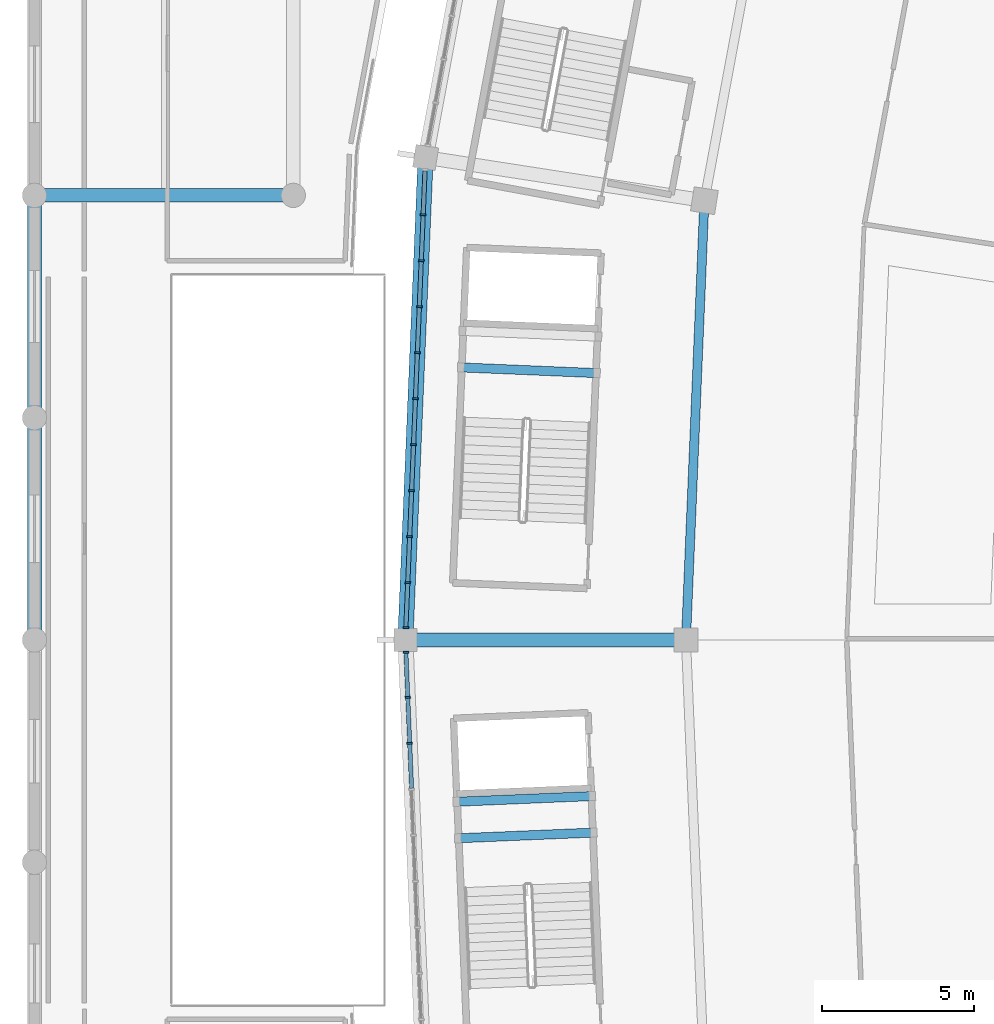
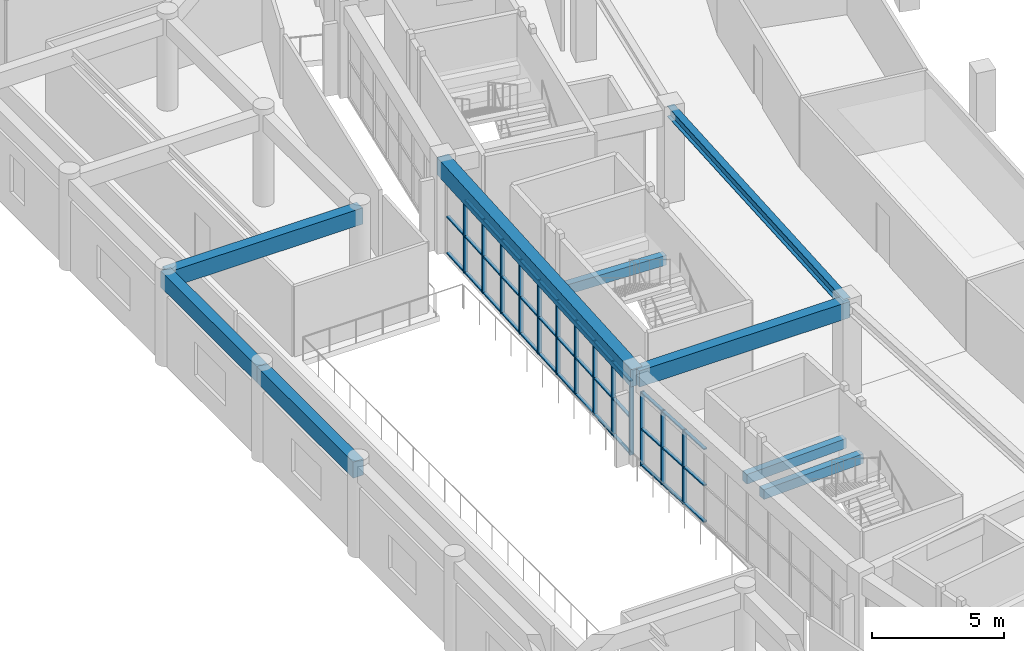
# One storey, part 28 of 141: 51 members, 9 beams, 2 elements without a shape of their own.
"""IFC4 building model written with IfcOpenShell, lengths in metres."""

from ifc_helpers import new_model, si_unit, direction, frame, origin, origin_2d, place, context, subcontext, project, spatial, rectangle, i_section, extrude, material, layer, layer_set, material_profile, profile_set, type_object, element, aggregate, save


model = new_model("IFC4")

# Units and contexts
model_context = context("Model", 3, precision=1e-05, world=origin(), true_north=direction((0.0, 1.0)))
body_context = subcontext(model_context, "Body", "Model", "MODEL_VIEW")
ifc_project = project(units=[si_unit("LENGTHUNIT", "METRE"), si_unit("AREAUNIT", "SQUARE_METRE"), si_unit("VOLUMEUNIT", "CUBIC_METRE"), si_unit("PLANEANGLEUNIT", "RADIAN"), si_unit("MASSUNIT", "GRAM", prefix="KILO")], contexts=[model_context])

# Site, building, storey
site_placement = place(None, origin())
site = spatial("IfcSite", under=ifc_project, at=site_placement, CompositionType="ELEMENT")
building_placement = place(site_placement, origin())
building = spatial("IfcBuilding", under=site, at=building_placement, Name="Mphavela Belvedere Stadium", CompositionType="ELEMENT")
storey_placement = place(building_placement, frame((0.0, 0.0, 14.699951171875)))
storey = spatial("IfcBuildingStorey", under=building, at=storey_placement, Name="L03", CompositionType="ELEMENT", Elevation=14.699951171875)

# Beams
ifc_material_1 = material(Name="Concrete C40/50", Category="concrete")
ifc_material_profile_1 = material_profile(ifc_material_1, rectangle(XDim=0.300048828125, YDim=0.449951171875, at=origin_2d()), Name="RC 300x450")
ifc_profile_set_1 = profile_set([ifc_material_profile_1], Name="Concrete C40/50")
beam_type_1 = type_object("IfcBeamType", Name="BM-RC300x450", PredefinedType="BEAM", material=ifc_profile_set_1)
for number, where, z_axis, x_axis, name in (
    (1, (18.47021484375, 95.76318359375, 1.824951171875), (-0.999122153252, 0.04189179968, 0.0), (-0.04189179968, -0.999122153252, 0.0), "Core C07 landing trimmer beam L03-1"),
    (2, (18.367919921875, 80.674560546875, 1.824951171875), (-0.999122153252, -0.04189179968, 0.0), (0.04189179968, -0.999122153252, 0.0), "Core C08 landing trimmer beam L03-1"),
    (3, (18.317626953125, 81.87353515625, 1.824951171875), (-0.999122153252, -0.04189179968, 0.0), (0.04189179968, -0.999122153252, 0.0), "Core C08 landing trimmer beam L03-2"),
):
    element("IfcBeam", number, at=place(storey_placement, frame(where, z_axis=z_axis, x_axis=x_axis)), inside=storey, type_object=beam_type_1, Name=name, PredefinedType="BEAM", context=body_context, shape_type="SweptSolid", body=[
        extrude(rectangle(XDim=0.300048828125, YDim=0.449951171875, at=origin_2d()), origin(), (0.0, 0.0, 1.0), 4.469970703125),
    ])
ifc_material_2 = material(Name="Concrete C40/50", Category="concrete")
ifc_material_profile_2 = material_profile(ifc_material_2, rectangle(XDim=0.449951171875, YDim=0.75, at=origin_2d()), Name="RC 450x750")
ifc_profile_set_2 = profile_set([ifc_material_profile_2], Name="Concrete C40/50")
beam_type_2 = type_object("IfcBeamType", Name="BM-RC450x750", PredefinedType="BEAM", material=ifc_profile_set_2)
beam_1_placement = place(storey_placement, frame((21.39501953125, 87.0, 3.875), z_axis=(-1.0, 0.0, 0.0), x_axis=(0.0, -1.0, 0.0)))
element("IfcBeam", 4, at=beam_1_placement, inside=storey, type_object=beam_type_2, Name="Radial concourse girder L03 R3R4-25", PredefinedType="BEAM", context=body_context, shape_type="SweptSolid", body=[
    extrude(rectangle(XDim=0.449951171875, YDim=0.75, at=origin_2d()), origin(), (0.0, 0.0, 1.0), 9.215087890625),
])
for number, where, z_axis, x_axis, name in (
    (5, (0.0, 87.0, 3.864990234375), (0.0, 1.0, 0.0), (-1.0, 0.0, 0.0), "West Planted Eaves Peristyle Colonnade entablature beam Y L03 1-6"),
    (6, (0.0, 94.300048828125, 3.864990234375), (0.0, 1.0, 0.0), (-1.0, 0.0, 0.0), "West Planted Eaves Peristyle Colonnade entablature beam Y L03 1-7"),
):
    element("IfcBeam", number, at=place(storey_placement, frame(where, z_axis=z_axis, x_axis=x_axis)), inside=storey, type_object=beam_type_2, Name=name, PredefinedType="BEAM", context=body_context, shape_type="SweptSolid", body=[
        extrude(rectangle(XDim=0.449951171875, YDim=0.75, at=origin_2d()), origin(), (0.0, 0.0, 1.0), 7.300048828125),
    ])
beam_2_placement = place(storey_placement, frame((0.0, 101.60009765625, 3.864990234375), z_axis=(1.0, 0.0, 0.0), x_axis=(0.0, 1.0, 0.0)))
element("IfcBeam", 7, at=beam_2_placement, inside=storey, type_object=beam_type_2, Name="West Planted Eaves Peristyle Colonnade entablature beam X L03 1-8", PredefinedType="BEAM", context=body_context, shape_type="SweptSolid", body=[
    extrude(rectangle(XDim=0.449951171875, YDim=0.75, at=origin_2d()), origin(), (0.0, 0.0, 1.0), 8.5),
])
ifc_material_3 = material(Name="Concrete C40/50", Category="concrete")
ifc_material_profile_3 = material_profile(ifc_material_3, rectangle(XDim=0.5, YDim=0.800048828125, at=origin_2d()), Name="RC 500x800")
ifc_profile_set_3 = profile_set([ifc_material_profile_3], Name="Concrete C40/50")
beam_type_3 = type_object("IfcBeamType", Name="BM-SPANDREL-800", PredefinedType="SPANDREL", material=ifc_profile_set_3)
beam_3_placement = place(storey_placement, frame((12.844482421875, 102.844970703125, 3.85009765625), z_axis=(-0.041903963155, -0.999121643181, 0.0), x_axis=(0.999121643181, -0.041903963155, 0.0)))
element("IfcBeam", 8, at=beam_3_placement, inside=storey, type_object=beam_type_3, Name="Circumferential girder L03 R4-24", PredefinedType="SPANDREL", context=body_context, shape_type="SweptSolid", body=[
    extrude(rectangle(XDim=0.5, YDim=0.800048828125, at=origin_2d()), origin(), (0.0, 0.0, 1.0), 15.85888671875),
])
ifc_material_4 = material(Name="Steel S355", Category="steel")
ifc_material_profile_4 = material_profile(ifc_material_4, i_section(OverallWidth=0.300048828125, OverallDepth=0.489990234375, WebThickness=0.011962890625, FlangeThickness=0.02294921875, at=origin_2d()), Name="HEA 500")
ifc_profile_set_4 = profile_set([ifc_material_profile_4], Name="Steel S355")
beam_type_4 = type_object("IfcBeamType", Name="BM-STEEL-HEA500", PredefinedType="BEAM", material=ifc_profile_set_4)
beam_4_placement = place(storey_placement, frame((22.0, 101.4248046875, 4.005126953125), z_axis=(-0.041903450766, -0.99912166467, 0.0), x_axis=(0.99912166467, -0.041903450766, 0.0)))
element("IfcBeam", 9, at=beam_4_placement, inside=storey, type_object=beam_type_4, Name="Circumferential girder L03 R3-24", PredefinedType="BEAM", context=body_context, shape_type="SweptSolid", body=[
    extrude(i_section(OverallWidth=0.300048828125, OverallDepth=0.489990234375, WebThickness=0.011962890625, FlangeThickness=0.02294921875, at=origin_2d()), origin(), (0.0, 0.0, 1.0), 14.4375),
])

# Curtain wall, members
ifc_material_5 = material(Name="Anodised bronze unitised curtain wall framing")
ifc_layer_1 = layer(ifc_material_5, 0.18505859375)
ifc_layer_set_1 = layer_set([ifc_layer_1], Name="Anodised bronze unitised curtain wall framing")
curtain_wall_type_1 = type_object("IfcCurtainWallType", Name="CW-UNIT-02", PredefinedType="USERDEFINED", material=ifc_layer_set_1)
curtain_wall_1_placement = place(storey_placement, origin())
curtain_wall_1 = element("IfcCurtainWall", 10, at=curtain_wall_1_placement, inside=storey, type_object=curtain_wall_type_1, Name="Belvedere colonnade curtain wall L03-24", ObjectType="UNITISED CURTAIN WALL", PredefinedType="USERDEFINED")
ifc_material_6 = material(Name="Anodised bronze extruded aluminium", Category="aluminium")
ifc_material_profile_5 = material_profile(ifc_material_6, rectangle(XDim=0.179931640625, YDim=0.06494140625, at=origin_2d()), Name="CW-MUL 180x65")
ifc_profile_set_5 = profile_set([ifc_material_profile_5], Name="Anodised bronze extruded aluminium")
member_type_1 = type_object("IfcMemberType", Name="CWM-180x65", PredefinedType="MULLION", material=ifc_profile_set_5)
member_1_placement = place(storey_placement, frame((12.765625, 100.96240234375, 0.0), z_axis=(0.0, 0.0, 1.0), x_axis=(0.999121336582, -0.041911272788, 0.0)))
member_1 = element("IfcMember", 11, at=member_1_placement, type_object=member_type_1, Name="CW-02 mullion 2", PredefinedType="MULLION", context=body_context, shape_type="SweptSolid", body=[
    extrude(rectangle(XDim=0.179931640625, YDim=0.06494140625, at=origin_2d()), origin(), (0.0, 0.0, 1.0), 3.420166015625),
])
member_2_placement = place(storey_placement, frame((12.702392578125, 99.452392578125, 0.0), z_axis=(0.0, 0.0, 1.0), x_axis=(0.999121336582, -0.041911272788, 0.0)))
member_2 = element("IfcMember", 12, at=member_2_placement, type_object=member_type_1, Name="CW-02 mullion 3", PredefinedType="MULLION", context=body_context, shape_type="SweptSolid", body=[
    extrude(rectangle(XDim=0.179931640625, YDim=0.06494140625, at=origin_2d()), origin(), (0.0, 0.0, 1.0), 3.420166015625),
])
member_3_placement = place(storey_placement, frame((12.638916015625, 97.9423828125, 0.0), z_axis=(0.0, 0.0, 1.0), x_axis=(0.999121336582, -0.041911272788, 0.0)))
member_3 = element("IfcMember", 13, at=member_3_placement, type_object=member_type_1, Name="CW-02 mullion 4", PredefinedType="MULLION", context=body_context, shape_type="SweptSolid", body=[
    extrude(rectangle(XDim=0.179931640625, YDim=0.06494140625, at=origin_2d()), origin(), (0.0, 0.0, 1.0), 3.420166015625),
])
member_4_placement = place(storey_placement, frame((12.57568359375, 96.432373046875, 0.0), z_axis=(0.0, 0.0, 1.0), x_axis=(0.999121336582, -0.041911272788, 0.0)))
member_4 = element("IfcMember", 14, at=member_4_placement, type_object=member_type_1, Name="CW-02 mullion 5", PredefinedType="MULLION", context=body_context, shape_type="SweptSolid", body=[
    extrude(rectangle(XDim=0.179931640625, YDim=0.06494140625, at=origin_2d()), origin(), (0.0, 0.0, 1.0), 3.420166015625),
])
member_5_placement = place(storey_placement, frame((12.51220703125, 94.922607421875, 0.0), z_axis=(0.0, 0.0, 1.0), x_axis=(0.999121336582, -0.041911272788, 0.0)))
member_5 = element("IfcMember", 15, at=member_5_placement, type_object=member_type_1, Name="CW-02 mullion 6", PredefinedType="MULLION", context=body_context, shape_type="SweptSolid", body=[
    extrude(rectangle(XDim=0.179931640625, YDim=0.06494140625, at=origin_2d()), origin(), (0.0, 0.0, 1.0), 3.420166015625),
])
member_6_placement = place(storey_placement, frame((12.448974609375, 93.41259765625, 0.0), z_axis=(0.0, 0.0, 1.0), x_axis=(0.999121336582, -0.041911272788, 0.0)))
member_6 = element("IfcMember", 16, at=member_6_placement, type_object=member_type_1, Name="CW-02 mullion 7", PredefinedType="MULLION", context=body_context, shape_type="SweptSolid", body=[
    extrude(rectangle(XDim=0.179931640625, YDim=0.06494140625, at=origin_2d()), origin(), (0.0, 0.0, 1.0), 3.420166015625),
])
member_7_placement = place(storey_placement, frame((12.385498046875, 91.902587890625, 0.0), z_axis=(0.0, 0.0, 1.0), x_axis=(0.999121336582, -0.041911272788, 0.0)))
member_7 = element("IfcMember", 17, at=member_7_placement, type_object=member_type_1, Name="CW-02 mullion 8", PredefinedType="MULLION", context=body_context, shape_type="SweptSolid", body=[
    extrude(rectangle(XDim=0.179931640625, YDim=0.06494140625, at=origin_2d()), origin(), (0.0, 0.0, 1.0), 3.420166015625),
])
member_8_placement = place(storey_placement, frame((12.322265625, 90.392578125, 0.0), z_axis=(0.0, 0.0, 1.0), x_axis=(0.999121336582, -0.041911272788, 0.0)))
member_8 = element("IfcMember", 18, at=member_8_placement, type_object=member_type_1, Name="CW-02 mullion 9", PredefinedType="MULLION", context=body_context, shape_type="SweptSolid", body=[
    extrude(rectangle(XDim=0.179931640625, YDim=0.06494140625, at=origin_2d()), origin(), (0.0, 0.0, 1.0), 3.420166015625),
])
member_9_placement = place(storey_placement, frame((12.259033203125, 88.882568359375, 0.0), z_axis=(0.0, 0.0, 1.0), x_axis=(0.999121336582, -0.041911272788, 0.0)))
member_9 = element("IfcMember", 19, at=member_9_placement, type_object=member_type_1, Name="CW-02 mullion 10", PredefinedType="MULLION", context=body_context, shape_type="SweptSolid", body=[
    extrude(rectangle(XDim=0.179931640625, YDim=0.06494140625, at=origin_2d()), origin(), (0.0, 0.0, 1.0), 3.420166015625),
])
member_10_placement = place(storey_placement, frame((12.197021484375, 87.4052734375, 0.0), z_axis=(0.0, 0.0, 1.0), x_axis=(0.999121336582, -0.041911272788, 0.0)))
member_10 = element("IfcMember", 20, at=member_10_placement, type_object=member_type_1, Name="CW-02 mullion 11", PredefinedType="MULLION", context=body_context, shape_type="SweptSolid", body=[
    extrude(rectangle(XDim=0.179931640625, YDim=0.06494140625, at=origin_2d()), origin(), (0.0, 0.0, 1.0), 3.420166015625),
])

ifc_material_7 = material(Name="Anodised bronze unitised curtain wall framing")
ifc_layer_2 = layer(ifc_material_7, 0.18994140625)
ifc_layer_set_2 = layer_set([ifc_layer_2], Name="Anodised bronze unitised curtain wall framing")
curtain_wall_type_2 = type_object("IfcCurtainWallType", Name="CW-UNIT-03", PredefinedType="USERDEFINED", material=ifc_layer_set_2)
curtain_wall_2_placement = place(storey_placement, origin())
curtain_wall_2 = element("IfcCurtainWall", 21, at=curtain_wall_2_placement, inside=storey, type_object=curtain_wall_type_2, Name="Belvedere colonnade curtain wall L03-25", ObjectType="UNITISED CURTAIN WALL", PredefinedType="USERDEFINED")
member_11_placement = place(storey_placement, frame((12.197021484375, 86.5947265625, 0.0), z_axis=(0.0, 0.0, 1.0), x_axis=(0.999121336582, 0.041911272788, 0.0)))
member_11 = element("IfcMember", 22, at=member_11_placement, type_object=member_type_1, Name="CW-03 mullion 1", PredefinedType="MULLION", context=body_context, shape_type="SweptSolid", body=[
    extrude(rectangle(XDim=0.179931640625, YDim=0.06494140625, at=origin_2d()), origin(), (0.0, 0.0, 1.0), 3.420166015625),
])
member_12_placement = place(storey_placement, frame((12.259033203125, 85.117431640625, 0.0), z_axis=(0.0, 0.0, 1.0), x_axis=(0.999121336582, 0.041911272788, 0.0)))
member_12 = element("IfcMember", 23, at=member_12_placement, type_object=member_type_1, Name="CW-03 mullion 2", PredefinedType="MULLION", context=body_context, shape_type="SweptSolid", body=[
    extrude(rectangle(XDim=0.179931640625, YDim=0.06494140625, at=origin_2d()), origin(), (0.0, 0.0, 1.0), 3.420166015625),
])
member_13_placement = place(storey_placement, frame((12.322265625, 83.607421875, 0.0), z_axis=(0.0, 0.0, 1.0), x_axis=(0.999121336582, 0.041911272788, 0.0)))
member_13 = element("IfcMember", 24, at=member_13_placement, type_object=member_type_1, Name="CW-03 mullion 3", PredefinedType="MULLION", context=body_context, shape_type="SweptSolid", body=[
    extrude(rectangle(XDim=0.179931640625, YDim=0.06494140625, at=origin_2d()), origin(), (0.0, 0.0, 1.0), 3.420166015625),
])

# Member
ifc_material_8 = material(Name="Anodised bronze extruded aluminium", Category="aluminium")
ifc_material_profile_6 = material_profile(ifc_material_8, rectangle(XDim=0.139892578125, YDim=0.06005859375, at=origin_2d()), Name="CW-TRN 140x60")
ifc_profile_set_6 = profile_set([ifc_material_profile_6], Name="Anodised bronze extruded aluminium")
member_type_2 = type_object("IfcMemberType", Name="CWT-140x60", PredefinedType="USERDEFINED", material=ifc_profile_set_6)
member_14_placement = place(storey_placement, frame((12.826171875, 102.407470703125, 0.030029296875), z_axis=(-0.041788559858, -0.999126476611, 0.0), x_axis=(0.999126476611, -0.041788559858, 0.0)))
member_14 = element("IfcMember", 25, at=member_14_placement, type_object=member_type_2, Name="CW-02 transom 1.1", ObjectType="TRANSOM", PredefinedType="USERDEFINED", context=body_context, shape_type="SweptSolid", body=[
    extrude(rectangle(XDim=0.139892578125, YDim=0.06005859375, at=origin_2d()), origin(), (0.0, 0.0, 1.0), 1.413818359375),
])

member_15_placement = place(storey_placement, frame((12.826171875, 102.407470703125, 1.7099609375), z_axis=(-0.041788559858, -0.999126476611, 0.0), x_axis=(0.999126476611, -0.041788559858, 0.0)))
member_15 = element("IfcMember", 26, at=member_15_placement, type_object=member_type_2, Name="CW-02 transom 1.2", ObjectType="TRANSOM", PredefinedType="USERDEFINED", context=body_context, shape_type="SweptSolid", body=[
    extrude(rectangle(XDim=0.139892578125, YDim=0.06005859375, at=origin_2d()), origin(), (0.0, 0.0, 1.0), 1.413818359375),
])

member_16_placement = place(storey_placement, frame((12.764404296875, 100.929931640625, 0.030029296875), z_axis=(-0.042030742213, -0.999116317907, 0.0), x_axis=(0.999116317907, -0.042030742213, 0.0)))
member_16 = element("IfcMember", 27, at=member_16_placement, type_object=member_type_2, Name="CW-02 transom 2.1", ObjectType="TRANSOM", PredefinedType="USERDEFINED", context=body_context, shape_type="SweptSolid", body=[
    extrude(rectangle(XDim=0.139892578125, YDim=0.06005859375, at=origin_2d()), origin(), (0.0, 0.0, 1.0), 1.4462890625),
])

member_17_placement = place(storey_placement, frame((12.764404296875, 100.929931640625, 1.7099609375), z_axis=(-0.042030742213, -0.999116317907, 0.0), x_axis=(0.999116317907, -0.042030742213, 0.0)))
member_17 = element("IfcMember", 28, at=member_17_placement, type_object=member_type_2, Name="CW-02 transom 2.2", ObjectType="TRANSOM", PredefinedType="USERDEFINED", context=body_context, shape_type="SweptSolid", body=[
    extrude(rectangle(XDim=0.139892578125, YDim=0.06005859375, at=origin_2d()), origin(), (0.0, 0.0, 1.0), 1.4462890625),
])

member_18_placement = place(storey_placement, frame((12.764404296875, 100.929931640625, 3.39013671875), z_axis=(-0.042030742213, -0.999116317907, 0.0), x_axis=(0.999116317907, -0.042030742213, 0.0)))
member_18 = element("IfcMember", 29, at=member_18_placement, type_object=member_type_2, Name="CW-02 transom 2.3", ObjectType="TRANSOM", PredefinedType="USERDEFINED", context=body_context, shape_type="SweptSolid", body=[
    extrude(rectangle(XDim=0.139892578125, YDim=0.06005859375, at=origin_2d()), origin(), (0.0, 0.0, 1.0), 1.4462890625),
])

member_19_placement = place(storey_placement, frame((12.700927734375, 99.419921875, 0.030029296875), z_axis=(-0.041862240457, -0.999123392191, 0.0), x_axis=(0.999123392191, -0.041862240457, 0.0)))
member_19 = element("IfcMember", 30, at=member_19_placement, type_object=member_type_2, Name="CW-02 transom 3.1", ObjectType="TRANSOM", PredefinedType="USERDEFINED", context=body_context, shape_type="SweptSolid", body=[
    extrude(rectangle(XDim=0.139892578125, YDim=0.06005859375, at=origin_2d()), origin(), (0.0, 0.0, 1.0), 1.4462890625),
])

member_20_placement = place(storey_placement, frame((12.700927734375, 99.419921875, 1.7099609375), z_axis=(-0.041862240457, -0.999123392191, 0.0), x_axis=(0.999123392191, -0.041862240457, 0.0)))
member_20 = element("IfcMember", 31, at=member_20_placement, type_object=member_type_2, Name="CW-02 transom 3.2", ObjectType="TRANSOM", PredefinedType="USERDEFINED", context=body_context, shape_type="SweptSolid", body=[
    extrude(rectangle(XDim=0.139892578125, YDim=0.06005859375, at=origin_2d()), origin(), (0.0, 0.0, 1.0), 1.4462890625),
])

member_21_placement = place(storey_placement, frame((12.700927734375, 99.419921875, 3.39013671875), z_axis=(-0.041862240457, -0.999123392191, 0.0), x_axis=(0.999123392191, -0.041862240457, 0.0)))
member_21 = element("IfcMember", 32, at=member_21_placement, type_object=member_type_2, Name="CW-02 transom 3.3", ObjectType="TRANSOM", PredefinedType="USERDEFINED", context=body_context, shape_type="SweptSolid", body=[
    extrude(rectangle(XDim=0.139892578125, YDim=0.06005859375, at=origin_2d()), origin(), (0.0, 0.0, 1.0), 1.4462890625),
])

member_22_placement = place(storey_placement, frame((12.6376953125, 97.909912109375, 0.030029296875), z_axis=(-0.042030742213, -0.999116317907, 0.0), x_axis=(0.999116317907, -0.042030742213, 0.0)))
member_22 = element("IfcMember", 33, at=member_22_placement, type_object=member_type_2, Name="CW-02 transom 4.1", ObjectType="TRANSOM", PredefinedType="USERDEFINED", context=body_context, shape_type="SweptSolid", body=[
    extrude(rectangle(XDim=0.139892578125, YDim=0.06005859375, at=origin_2d()), origin(), (0.0, 0.0, 1.0), 1.4462890625),
])

member_23_placement = place(storey_placement, frame((12.6376953125, 97.909912109375, 1.7099609375), z_axis=(-0.042030742213, -0.999116317907, 0.0), x_axis=(0.999116317907, -0.042030742213, 0.0)))
member_23 = element("IfcMember", 34, at=member_23_placement, type_object=member_type_2, Name="CW-02 transom 4.2", ObjectType="TRANSOM", PredefinedType="USERDEFINED", context=body_context, shape_type="SweptSolid", body=[
    extrude(rectangle(XDim=0.139892578125, YDim=0.06005859375, at=origin_2d()), origin(), (0.0, 0.0, 1.0), 1.4462890625),
])

member_24_placement = place(storey_placement, frame((12.6376953125, 97.909912109375, 3.39013671875), z_axis=(-0.042030742213, -0.999116317907, 0.0), x_axis=(0.999116317907, -0.042030742213, 0.0)))
member_24 = element("IfcMember", 35, at=member_24_placement, type_object=member_type_2, Name="CW-02 transom 4.3", ObjectType="TRANSOM", PredefinedType="USERDEFINED", context=body_context, shape_type="SweptSolid", body=[
    extrude(rectangle(XDim=0.139892578125, YDim=0.06005859375, at=origin_2d()), origin(), (0.0, 0.0, 1.0), 1.4462890625),
])

member_25_placement = place(storey_placement, frame((12.57421875, 96.39990234375, 0.030029296875), z_axis=(-0.041869301771, -0.999123096305, 0.0), x_axis=(0.999123096305, -0.041869301771, 0.0)))
member_25 = element("IfcMember", 36, at=member_25_placement, type_object=member_type_2, Name="CW-02 transom 5.1", ObjectType="TRANSOM", PredefinedType="USERDEFINED", context=body_context, shape_type="SweptSolid", body=[
    extrude(rectangle(XDim=0.139892578125, YDim=0.06005859375, at=origin_2d()), origin(), (0.0, 0.0, 1.0), 1.446044921875),
])

member_26_placement = place(storey_placement, frame((12.57421875, 96.39990234375, 1.7099609375), z_axis=(-0.041869301771, -0.999123096305, 0.0), x_axis=(0.999123096305, -0.041869301771, 0.0)))
member_26 = element("IfcMember", 37, at=member_26_placement, type_object=member_type_2, Name="CW-02 transom 5.2", ObjectType="TRANSOM", PredefinedType="USERDEFINED", context=body_context, shape_type="SweptSolid", body=[
    extrude(rectangle(XDim=0.139892578125, YDim=0.06005859375, at=origin_2d()), origin(), (0.0, 0.0, 1.0), 1.446044921875),
])

member_27_placement = place(storey_placement, frame((12.57421875, 96.39990234375, 3.39013671875), z_axis=(-0.041869301771, -0.999123096305, 0.0), x_axis=(0.999123096305, -0.041869301771, 0.0)))
member_27 = element("IfcMember", 38, at=member_27_placement, type_object=member_type_2, Name="CW-02 transom 5.3", ObjectType="TRANSOM", PredefinedType="USERDEFINED", context=body_context, shape_type="SweptSolid", body=[
    extrude(rectangle(XDim=0.139892578125, YDim=0.06005859375, at=origin_2d()), origin(), (0.0, 0.0, 1.0), 1.446044921875),
])

member_28_placement = place(storey_placement, frame((12.510986328125, 94.89013671875, 0.030029296875), z_axis=(-0.041862240457, -0.999123392191, 0.0), x_axis=(0.999123392191, -0.041862240457, 0.0)))
member_28 = element("IfcMember", 39, at=member_28_placement, type_object=member_type_2, Name="CW-02 transom 6.1", ObjectType="TRANSOM", PredefinedType="USERDEFINED", context=body_context, shape_type="SweptSolid", body=[
    extrude(rectangle(XDim=0.139892578125, YDim=0.06005859375, at=origin_2d()), origin(), (0.0, 0.0, 1.0), 1.4462890625),
])

member_29_placement = place(storey_placement, frame((12.510986328125, 94.89013671875, 1.7099609375), z_axis=(-0.041862240457, -0.999123392191, 0.0), x_axis=(0.999123392191, -0.041862240457, 0.0)))
member_29 = element("IfcMember", 40, at=member_29_placement, type_object=member_type_2, Name="CW-02 transom 6.2", ObjectType="TRANSOM", PredefinedType="USERDEFINED", context=body_context, shape_type="SweptSolid", body=[
    extrude(rectangle(XDim=0.139892578125, YDim=0.06005859375, at=origin_2d()), origin(), (0.0, 0.0, 1.0), 1.4462890625),
])

member_30_placement = place(storey_placement, frame((12.510986328125, 94.89013671875, 3.39013671875), z_axis=(-0.041862240457, -0.999123392191, 0.0), x_axis=(0.999123392191, -0.041862240457, 0.0)))
member_30 = element("IfcMember", 41, at=member_30_placement, type_object=member_type_2, Name="CW-02 transom 6.3", ObjectType="TRANSOM", PredefinedType="USERDEFINED", context=body_context, shape_type="SweptSolid", body=[
    extrude(rectangle(XDim=0.139892578125, YDim=0.06005859375, at=origin_2d()), origin(), (0.0, 0.0, 1.0), 1.4462890625),
])

member_31_placement = place(storey_placement, frame((12.447509765625, 93.380126953125, 0.030029296875), z_axis=(-0.041862240457, -0.999123392191, 0.0), x_axis=(0.999123392191, -0.041862240457, 0.0)))
member_31 = element("IfcMember", 42, at=member_31_placement, type_object=member_type_2, Name="CW-02 transom 7.1", ObjectType="TRANSOM", PredefinedType="USERDEFINED", context=body_context, shape_type="SweptSolid", body=[
    extrude(rectangle(XDim=0.139892578125, YDim=0.06005859375, at=origin_2d()), origin(), (0.0, 0.0, 1.0), 1.4462890625),
])

member_32_placement = place(storey_placement, frame((12.447509765625, 93.380126953125, 1.7099609375), z_axis=(-0.041862240457, -0.999123392191, 0.0), x_axis=(0.999123392191, -0.041862240457, 0.0)))
member_32 = element("IfcMember", 43, at=member_32_placement, type_object=member_type_2, Name="CW-02 transom 7.2", ObjectType="TRANSOM", PredefinedType="USERDEFINED", context=body_context, shape_type="SweptSolid", body=[
    extrude(rectangle(XDim=0.139892578125, YDim=0.06005859375, at=origin_2d()), origin(), (0.0, 0.0, 1.0), 1.4462890625),
])

member_33_placement = place(storey_placement, frame((12.447509765625, 93.380126953125, 3.39013671875), z_axis=(-0.041862240457, -0.999123392191, 0.0), x_axis=(0.999123392191, -0.041862240457, 0.0)))
member_33 = element("IfcMember", 44, at=member_33_placement, type_object=member_type_2, Name="CW-02 transom 7.3", ObjectType="TRANSOM", PredefinedType="USERDEFINED", context=body_context, shape_type="SweptSolid", body=[
    extrude(rectangle(XDim=0.139892578125, YDim=0.06005859375, at=origin_2d()), origin(), (0.0, 0.0, 1.0), 1.4462890625),
])

member_34_placement = place(storey_placement, frame((12.38427734375, 91.8701171875, 0.030029296875), z_axis=(-0.041862240457, -0.999123392191, 0.0), x_axis=(0.999123392191, -0.041862240457, 0.0)))
member_34 = element("IfcMember", 45, at=member_34_placement, type_object=member_type_2, Name="CW-02 transom 8.1", ObjectType="TRANSOM", PredefinedType="USERDEFINED", context=body_context, shape_type="SweptSolid", body=[
    extrude(rectangle(XDim=0.139892578125, YDim=0.06005859375, at=origin_2d()), origin(), (0.0, 0.0, 1.0), 1.4462890625),
])

member_35_placement = place(storey_placement, frame((12.38427734375, 91.8701171875, 1.7099609375), z_axis=(-0.041862240457, -0.999123392191, 0.0), x_axis=(0.999123392191, -0.041862240457, 0.0)))
member_35 = element("IfcMember", 46, at=member_35_placement, type_object=member_type_2, Name="CW-02 transom 8.2", ObjectType="TRANSOM", PredefinedType="USERDEFINED", context=body_context, shape_type="SweptSolid", body=[
    extrude(rectangle(XDim=0.139892578125, YDim=0.06005859375, at=origin_2d()), origin(), (0.0, 0.0, 1.0), 1.4462890625),
])

member_36_placement = place(storey_placement, frame((12.38427734375, 91.8701171875, 3.39013671875), z_axis=(-0.041862240457, -0.999123392191, 0.0), x_axis=(0.999123392191, -0.041862240457, 0.0)))
member_36 = element("IfcMember", 47, at=member_36_placement, type_object=member_type_2, Name="CW-02 transom 8.3", ObjectType="TRANSOM", PredefinedType="USERDEFINED", context=body_context, shape_type="SweptSolid", body=[
    extrude(rectangle(XDim=0.139892578125, YDim=0.06005859375, at=origin_2d()), origin(), (0.0, 0.0, 1.0), 1.4462890625),
])

member_37_placement = place(storey_placement, frame((12.32080078125, 90.360107421875, 0.030029296875), z_axis=(-0.041862240457, -0.999123392191, 0.0), x_axis=(0.999123392191, -0.041862240457, 0.0)))
member_37 = element("IfcMember", 48, at=member_37_placement, type_object=member_type_2, Name="CW-02 transom 9.1", ObjectType="TRANSOM", PredefinedType="USERDEFINED", context=body_context, shape_type="SweptSolid", body=[
    extrude(rectangle(XDim=0.139892578125, YDim=0.06005859375, at=origin_2d()), origin(), (0.0, 0.0, 1.0), 1.4462890625),
])

member_38_placement = place(storey_placement, frame((12.32080078125, 90.360107421875, 1.7099609375), z_axis=(-0.041862240457, -0.999123392191, 0.0), x_axis=(0.999123392191, -0.041862240457, 0.0)))
member_38 = element("IfcMember", 49, at=member_38_placement, type_object=member_type_2, Name="CW-02 transom 9.2", ObjectType="TRANSOM", PredefinedType="USERDEFINED", context=body_context, shape_type="SweptSolid", body=[
    extrude(rectangle(XDim=0.139892578125, YDim=0.06005859375, at=origin_2d()), origin(), (0.0, 0.0, 1.0), 1.4462890625),
])

member_39_placement = place(storey_placement, frame((12.32080078125, 90.360107421875, 3.39013671875), z_axis=(-0.041862240457, -0.999123392191, 0.0), x_axis=(0.999123392191, -0.041862240457, 0.0)))
member_39 = element("IfcMember", 50, at=member_39_placement, type_object=member_type_2, Name="CW-02 transom 9.3", ObjectType="TRANSOM", PredefinedType="USERDEFINED", context=body_context, shape_type="SweptSolid", body=[
    extrude(rectangle(XDim=0.139892578125, YDim=0.06005859375, at=origin_2d()), origin(), (0.0, 0.0, 1.0), 1.4462890625),
])

member_40_placement = place(storey_placement, frame((12.257568359375, 88.85009765625, 0.030029296875), z_axis=(-0.04196817707, -0.99911894793, 0.0), x_axis=(0.99911894793, -0.04196817707, 0.0)))
member_40 = element("IfcMember", 51, at=member_40_placement, type_object=member_type_2, Name="CW-02 transom 10.1", ObjectType="TRANSOM", PredefinedType="USERDEFINED", context=body_context, shape_type="SweptSolid", body=[
    extrude(rectangle(XDim=0.139892578125, YDim=0.06005859375, at=origin_2d()), origin(), (0.0, 0.0, 1.0), 1.41357421875),
])

member_41_placement = place(storey_placement, frame((12.257568359375, 88.85009765625, 1.7099609375), z_axis=(-0.04196817707, -0.99911894793, 0.0), x_axis=(0.99911894793, -0.04196817707, 0.0)))
member_41 = element("IfcMember", 52, at=member_41_placement, type_object=member_type_2, Name="CW-02 transom 10.2", ObjectType="TRANSOM", PredefinedType="USERDEFINED", context=body_context, shape_type="SweptSolid", body=[
    extrude(rectangle(XDim=0.139892578125, YDim=0.06005859375, at=origin_2d()), origin(), (0.0, 0.0, 1.0), 1.41357421875),
])

member_42_placement = place(storey_placement, frame((12.257568359375, 88.85009765625, 3.39013671875), z_axis=(-0.04196817707, -0.99911894793, 0.0), x_axis=(0.99911894793, -0.04196817707, 0.0)))
member_42 = element("IfcMember", 53, at=member_42_placement, type_object=member_type_2, Name="CW-02 transom 10.3", ObjectType="TRANSOM", PredefinedType="USERDEFINED", context=body_context, shape_type="SweptSolid", body=[
    extrude(rectangle(XDim=0.139892578125, YDim=0.06005859375, at=origin_2d()), origin(), (0.0, 0.0, 1.0), 1.41357421875),
])

aggregate(curtain_wall_1, [member_1, member_2, member_3, member_4, member_5, member_6, member_7, member_8, member_9, member_10, member_14, member_15, member_16, member_17, member_18, member_19, member_20, member_21, member_22, member_23, member_24, member_25, member_26, member_27, member_28, member_29, member_30, member_31, member_32, member_33, member_34, member_35, member_36, member_37, member_38, member_39, member_40, member_41, member_42])

member_43_placement = place(storey_placement, frame((12.1982421875, 86.562255859375, 0.030029296875), z_axis=(0.04196817707, -0.99911894793, 0.0), x_axis=(0.99911894793, 0.04196817707, 0.0)))
member_43 = element("IfcMember", 54, at=member_43_placement, type_object=member_type_2, Name="CW-03 transom 1.1", ObjectType="TRANSOM", PredefinedType="USERDEFINED", context=body_context, shape_type="SweptSolid", body=[
    extrude(rectangle(XDim=0.139892578125, YDim=0.06005859375, at=origin_2d()), origin(), (0.0, 0.0, 1.0), 1.41357421875),
])

member_44_placement = place(storey_placement, frame((12.1982421875, 86.562255859375, 1.7099609375), z_axis=(0.04196817707, -0.99911894793, 0.0), x_axis=(0.99911894793, 0.04196817707, 0.0)))
member_44 = element("IfcMember", 55, at=member_44_placement, type_object=member_type_2, Name="CW-03 transom 1.2", ObjectType="TRANSOM", PredefinedType="USERDEFINED", context=body_context, shape_type="SweptSolid", body=[
    extrude(rectangle(XDim=0.139892578125, YDim=0.06005859375, at=origin_2d()), origin(), (0.0, 0.0, 1.0), 1.41357421875),
])

member_45_placement = place(storey_placement, frame((12.1982421875, 86.562255859375, 3.39013671875), z_axis=(0.04196817707, -0.99911894793, 0.0), x_axis=(0.99911894793, 0.04196817707, 0.0)))
member_45 = element("IfcMember", 56, at=member_45_placement, type_object=member_type_2, Name="CW-03 transom 1.3", ObjectType="TRANSOM", PredefinedType="USERDEFINED", context=body_context, shape_type="SweptSolid", body=[
    extrude(rectangle(XDim=0.139892578125, YDim=0.06005859375, at=origin_2d()), origin(), (0.0, 0.0, 1.0), 1.41357421875),
])

member_46_placement = place(storey_placement, frame((12.26025390625, 85.0849609375, 0.030029296875), z_axis=(0.041862240457, -0.999123392191, 0.0), x_axis=(0.999123392191, 0.041862240457, 0.0)))
member_46 = element("IfcMember", 57, at=member_46_placement, type_object=member_type_2, Name="CW-03 transom 2.1", ObjectType="TRANSOM", PredefinedType="USERDEFINED", context=body_context, shape_type="SweptSolid", body=[
    extrude(rectangle(XDim=0.139892578125, YDim=0.06005859375, at=origin_2d()), origin(), (0.0, 0.0, 1.0), 1.4462890625),
])

member_47_placement = place(storey_placement, frame((12.26025390625, 85.0849609375, 1.7099609375), z_axis=(0.041862240457, -0.999123392191, 0.0), x_axis=(0.999123392191, 0.041862240457, 0.0)))
member_47 = element("IfcMember", 58, at=member_47_placement, type_object=member_type_2, Name="CW-03 transom 2.2", ObjectType="TRANSOM", PredefinedType="USERDEFINED", context=body_context, shape_type="SweptSolid", body=[
    extrude(rectangle(XDim=0.139892578125, YDim=0.06005859375, at=origin_2d()), origin(), (0.0, 0.0, 1.0), 1.4462890625),
])

member_48_placement = place(storey_placement, frame((12.26025390625, 85.0849609375, 3.39013671875), z_axis=(0.041862240457, -0.999123392191, 0.0), x_axis=(0.999123392191, 0.041862240457, 0.0)))
member_48 = element("IfcMember", 59, at=member_48_placement, type_object=member_type_2, Name="CW-03 transom 2.3", ObjectType="TRANSOM", PredefinedType="USERDEFINED", context=body_context, shape_type="SweptSolid", body=[
    extrude(rectangle(XDim=0.139892578125, YDim=0.06005859375, at=origin_2d()), origin(), (0.0, 0.0, 1.0), 1.4462890625),
])

member_49_placement = place(storey_placement, frame((12.32373046875, 83.574951171875, 0.030029296875), z_axis=(0.041862240457, -0.999123392191, 0.0), x_axis=(0.999123392191, 0.041862240457, 0.0)))
member_49 = element("IfcMember", 60, at=member_49_placement, type_object=member_type_2, Name="CW-03 transom 3.1", ObjectType="TRANSOM", PredefinedType="USERDEFINED", context=body_context, shape_type="SweptSolid", body=[
    extrude(rectangle(XDim=0.139892578125, YDim=0.06005859375, at=origin_2d()), origin(), (0.0, 0.0, 1.0), 1.4462890625),
])

member_50_placement = place(storey_placement, frame((12.32373046875, 83.574951171875, 1.7099609375), z_axis=(0.041862240457, -0.999123392191, 0.0), x_axis=(0.999123392191, 0.041862240457, 0.0)))
member_50 = element("IfcMember", 61, at=member_50_placement, type_object=member_type_2, Name="CW-03 transom 3.2", ObjectType="TRANSOM", PredefinedType="USERDEFINED", context=body_context, shape_type="SweptSolid", body=[
    extrude(rectangle(XDim=0.139892578125, YDim=0.06005859375, at=origin_2d()), origin(), (0.0, 0.0, 1.0), 1.4462890625),
])

member_51_placement = place(storey_placement, frame((12.32373046875, 83.574951171875, 3.39013671875), z_axis=(0.041862240457, -0.999123392191, 0.0), x_axis=(0.999123392191, 0.041862240457, 0.0)))
member_51 = element("IfcMember", 62, at=member_51_placement, type_object=member_type_2, Name="CW-03 transom 3.3", ObjectType="TRANSOM", PredefinedType="USERDEFINED", context=body_context, shape_type="SweptSolid", body=[
    extrude(rectangle(XDim=0.139892578125, YDim=0.06005859375, at=origin_2d()), origin(), (0.0, 0.0, 1.0), 1.4462890625),
])

aggregate(curtain_wall_2, [member_11, member_12, member_13, member_43, member_44, member_45, member_46, member_47, member_48, member_49, member_50, member_51])

save(model, "model.ifc")
